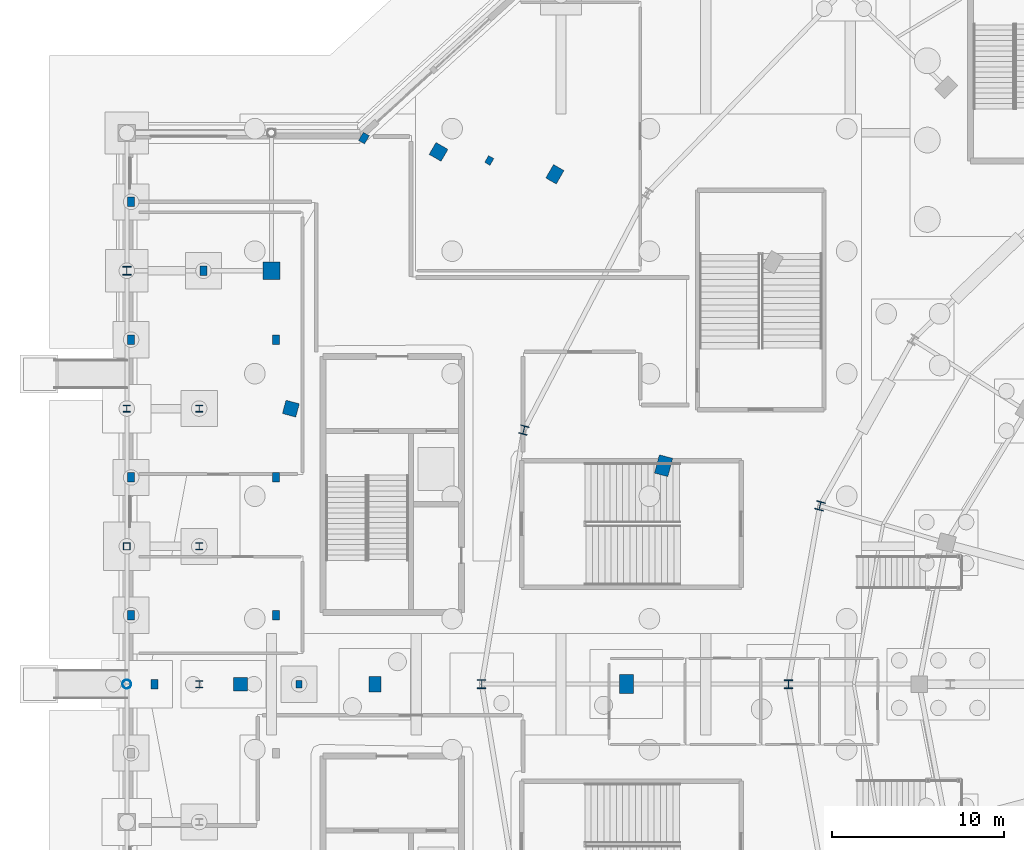
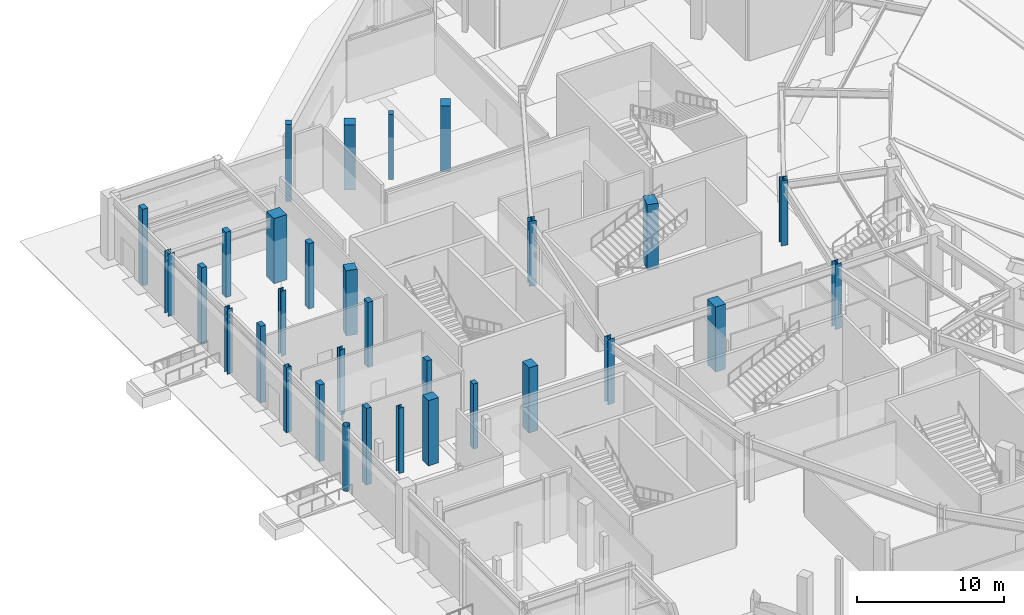
# One storey, part 18 of 93: 31 columns.
"""IFC4 building model written with IfcOpenShell, lengths in metres."""

from ifc_helpers import new_model, si_unit, direction, frame, origin, origin_2d, place, context, subcontext, project, spatial, rectangle, hollow_rectangle, hollow_circle, i_section, extrude, material, material_profile, profile_set, type_object, element, save


model = new_model("IFC4")

# Units and contexts
model_context = context("Model", 3, precision=1e-05, world=origin(), true_north=direction((0.0, 1.0)))
body_context = subcontext(model_context, "Body", "Model", "MODEL_VIEW")
ifc_project = project(units=[si_unit("LENGTHUNIT", "METRE"), si_unit("AREAUNIT", "SQUARE_METRE"), si_unit("VOLUMEUNIT", "CUBIC_METRE"), si_unit("PLANEANGLEUNIT", "RADIAN"), si_unit("MASSUNIT", "GRAM", prefix="KILO")], contexts=[model_context])

# Site, building, storey
site_placement = place(None, origin())
site = spatial("IfcSite", under=ifc_project, at=site_placement, CompositionType="ELEMENT")
building_placement = place(site_placement, origin())
building = spatial("IfcBuilding", under=site, at=building_placement, Name="Kalgoora Escarpment Arena", CompositionType="ELEMENT")
storey_placement = place(building_placement, origin())
storey = spatial("IfcBuildingStorey", under=building, at=storey_placement, Name="L00", CompositionType="ELEMENT", Elevation=0.0)

# Columns
ifc_material_1 = material(Name="Structural steel Grade 350 (350 MPa)", Category="steel")
ifc_material_profile_1 = material_profile(ifc_material_1, i_section(OverallWidth=0.39990234375, OverallDepth=0.39990234375, WebThickness=0.01806640625, FlangeThickness=0.031982421875, at=origin_2d()))
ifc_profile_set_1 = profile_set([ifc_material_profile_1], Name="Structural steel Grade 350 (350 MPa)")
column_type_1 = type_object("IfcColumnType", Name="COL-COL-400WC270", PredefinedType="COLUMN", material=ifc_profile_set_1)
for number, where, z_axis, x_axis, name in (
    (1, (0.0, 80.0, 0.0), (0.0, 0.0, 1.0), (1.0, 0.0, 0.0), "L00 structural column COL-G1-L"),
    (2, (4.199951171875, 64.0, 0.0), (0.0, 0.0, 1.0), (1.0, 0.0, 0.0), "L00 structural column COL-CAN-IN-64"),
    (3, (4.199951171875, 72.0, 0.0), (0.0, 0.0, 1.0), (1.0, 0.0, 0.0), "L00 structural column COL-CAN-IN-72"),
    (4, (4.199951171875, 80.0, 0.0), (0.0, 0.0, 1.0), (1.0, 0.0, 0.0), "L00 structural column COL-CAN-IN-80"),
):
    element("IfcColumn", number, at=place(storey_placement, frame(where, z_axis=z_axis, x_axis=x_axis)), inside=storey, type_object=column_type_1, Name=name, PredefinedType="COLUMN", context=body_context, shape_type="SweptSolid", body=[
        extrude(i_section(OverallWidth=0.39990234375, OverallDepth=0.39990234375, WebThickness=0.01806640625, FlangeThickness=0.031982421875, at=origin_2d()), origin(), (0.0, 0.0, 1.0), 5.39990234375),
    ])
ifc_material_2 = material(Name="Structural steel C450 (450 MPa)", Category="steel")
ifc_material_profile_2 = material_profile(ifc_material_2, hollow_rectangle(XDim=0.39990234375, YDim=0.39990234375, WallThickness=0.01611328125, at=origin_2d()))
ifc_profile_set_2 = profile_set([ifc_material_profile_2], Name="Structural steel C450 (450 MPa)")
column_type_2 = type_object("IfcColumnType", Name="COL-COL-400x400x16.0SHS", PredefinedType="COLUMN", material=ifc_profile_set_2)
column_1_placement = place(storey_placement, frame((0.0, 72.0, 0.0), z_axis=(0.0, 0.0, 1.0), x_axis=(1.0, 0.0, 0.0)))
element("IfcColumn", 5, at=column_1_placement, inside=storey, type_object=column_type_2, Name="L00 structural column COL-G1-K", PredefinedType="COLUMN", context=body_context, shape_type="SweptSolid", body=[
    extrude(hollow_rectangle(XDim=0.39990234375, YDim=0.39990234375, WallThickness=0.01611328125, at=origin_2d()), origin(), (0.0, 0.0, 1.0), 5.39990234375),
])
ifc_material_3 = material(Name="Structural steel Grade 350 (350 MPa)", Category="steel")
ifc_material_profile_3 = material_profile(ifc_material_3, i_section(OverallWidth=0.5, OverallDepth=0.5, WebThickness=0.02001953125, FlangeThickness=0.034912109375, at=origin_2d()))
ifc_profile_set_3 = profile_set([ifc_material_profile_3], Name="Structural steel Grade 350 (350 MPa)")
column_type_3 = type_object("IfcColumnType", Name="COL-COL-500WC340", PredefinedType="COLUMN", material=ifc_profile_set_3)
for number, where, z_axis, x_axis, name in (
    (6, (23.04638671875, 78.752685546875, 0.0), (0.0, 0.0, 1.0), (-0.965925826289, 0.258819045103, 0.0), "L00 structural column COL-RCONC2-R12"),
    (7, (20.60009765625, 64.0, 0.0), (0.0, 0.0, 1.0), (-1.0, 0.0, 0.0), "L00 structural column COL-RCONC2-R13"),
):
    element("IfcColumn", number, at=place(storey_placement, frame(where, z_axis=z_axis, x_axis=x_axis)), inside=storey, type_object=column_type_3, Name=name, PredefinedType="COLUMN", context=body_context, shape_type="SweptSolid", body=[
        extrude(i_section(OverallWidth=0.5, OverallDepth=0.5, WebThickness=0.02001953125, FlangeThickness=0.034912109375, at=origin_2d()), origin(), (0.0, 0.0, 1.0), 5.39990234375),
    ])
column_2_placement = place(storey_placement, frame((0.0, 88.0, 0.0), z_axis=(0.0, 0.0, 1.0), x_axis=(1.0, 0.0, 0.0)))
element("IfcColumn", 8, at=column_2_placement, inside=storey, type_object=column_type_3, Name="L00 structural column COL-G1-M", PredefinedType="COLUMN", context=body_context, shape_type="SweptSolid", body=[
    extrude(i_section(OverallWidth=0.5, OverallDepth=0.5, WebThickness=0.02001953125, FlangeThickness=0.034912109375, at=origin_2d()), origin(), (0.0, 0.0, 1.0), 5.14990234375),
])
ifc_material_4 = material(Name="Structural steel Grade 350 (350 MPa)", Category="steel")
ifc_material_profile_4 = material_profile(ifc_material_4, i_section(OverallWidth=0.5, OverallDepth=0.5, WebThickness=0.02490234375, FlangeThickness=0.0419921875, at=origin_2d()))
ifc_profile_set_4 = profile_set([ifc_material_profile_4], Name="Structural steel Grade 350 (350 MPa)")
column_type_4 = type_object("IfcColumnType", Name="COL-COL-500WC440", PredefinedType="COLUMN", material=ifc_profile_set_4)
for number, where, z_axis, x_axis, name in (
    (9, (40.239990234375, 74.352783203125, 0.0), (0.0, 0.0, 1.0), (-0.965925826289, 0.258819045103, 0.0), "L00 structural column COL-RMAIN-R12"),
    (10, (38.39990234375, 64.0, 0.0), (0.0, 0.0, 1.0), (-1.0, 0.0, 0.0), "L00 structural column COL-RMAIN-R13"),
):
    element("IfcColumn", number, at=place(storey_placement, frame(where, z_axis=z_axis, x_axis=x_axis)), inside=storey, type_object=column_type_4, Name=name, PredefinedType="COLUMN", context=body_context, shape_type="SweptSolid", body=[
        extrude(i_section(OverallWidth=0.5, OverallDepth=0.5, WebThickness=0.02490234375, FlangeThickness=0.0419921875, at=origin_2d()), origin(), (0.0, 0.0, 1.0), 5.39990234375),
    ])
ifc_material_5 = material(Name="Structural steel C350 (350 MPa)", Category="steel")
ifc_material_profile_5 = material_profile(ifc_material_5, hollow_circle(Radius=0.25390625, WallThickness=0.01611328125, at=origin_2d()))
ifc_profile_set_5 = profile_set([ifc_material_profile_5], Name="Structural steel C350 (350 MPa)")
column_type_5 = type_object("IfcColumnType", Name="COL-COL-508.0x16.0CHS", PredefinedType="COLUMN", material=ifc_profile_set_5)
column_3_placement = place(storey_placement, frame((0.0, 64.0, 0.0), z_axis=(0.0, 0.0, 1.0), x_axis=(1.0, 0.0, 0.0)))
element("IfcColumn", 11, at=column_3_placement, inside=storey, type_object=column_type_5, Name="L00 structural column COL-G1-J", PredefinedType="COLUMN", context=body_context, shape_type="SweptSolid", body=[
    extrude(hollow_circle(Radius=0.25390625, WallThickness=0.01611328125, at=origin_2d()), origin(), (0.0, 0.0, 1.0), 5.39990234375),
])
ifc_material_6 = material(Name="Concrete N50 (fc' 50 MPa)", Category="concrete")
ifc_material_profile_6 = material_profile(ifc_material_6, rectangle(XDim=1.0, YDim=1.0, at=origin_2d()))
ifc_profile_set_6 = profile_set([ifc_material_profile_6], Name="Concrete N50 (fc' 50 MPa)")
column_type_6 = type_object("IfcColumnType", Name="COL-COL-RC1000x1000", PredefinedType="COLUMN", material=ifc_profile_set_6)
column_4_placement = place(storey_placement, frame((8.39990234375, 88.0, 0.0), z_axis=(0.0, 0.0, 1.0), x_axis=(1.0, 0.0, 0.0)))
element("IfcColumn", 12, at=column_4_placement, inside=storey, type_object=column_type_6, Name="L00 structural column COL-G2-M", PredefinedType="COLUMN", context=body_context, shape_type="SweptSolid", body=[
    extrude(rectangle(XDim=1.0, YDim=1.0, at=origin_2d()), origin(), (0.0, 0.0, 1.0), 5.39990234375),
])
ifc_material_7 = material(Name="Concrete N50 (fc' 50 MPa)", Category="concrete")
ifc_material_profile_7 = material_profile(ifc_material_7, rectangle(XDim=0.800048828125, YDim=1.10009765625, at=origin_2d()))
ifc_profile_set_7 = profile_set([ifc_material_profile_7], Name="Concrete N50 (fc' 50 MPa)")
column_type_7 = type_object("IfcColumnType", Name="COL-COL-RC1100x800", PredefinedType="COLUMN", material=ifc_profile_set_7)
for number, where, z_axis, x_axis, name in (
    (13, (31.160400390625, 76.68212890625, 0.0), (0.0, 0.0, 1.0), (-0.965925826289, 0.258819045103, 0.0), "L00 structural column COL-RCONC1-R12"),
    (14, (29.0, 64.0, 0.0), (0.0, 0.0, 1.0), (-1.0, 0.0, 0.0), "L00 structural column COL-RCONC1-R13"),
):
    element("IfcColumn", number, at=place(storey_placement, frame(where, z_axis=z_axis, x_axis=x_axis)), inside=storey, type_object=column_type_7, Name=name, PredefinedType="COLUMN", context=body_context, shape_type="SweptSolid", body=[
        extrude(rectangle(XDim=0.800048828125, YDim=1.10009765625, at=origin_2d()), origin(), (0.0, 0.0, 1.0), 5.39990234375),
    ])
ifc_material_8 = material(Name="Concrete N50 (fc' 50 MPa)", Category="concrete")
ifc_material_profile_8 = material_profile(ifc_material_8, rectangle(XDim=0.800048828125, YDim=0.800048828125, at=origin_2d()))
ifc_profile_set_8 = profile_set([ifc_material_profile_8], Name="Concrete N50 (fc' 50 MPa)")
column_type_8 = type_object("IfcColumnType", Name="COL-COL-RC800x800", PredefinedType="COLUMN", material=ifc_profile_set_8)
for number, where, z_axis, x_axis, name in (
    (15, (18.094970703125, 94.89990234375, 0.0), (0.0, 0.0, 1.0), (-0.866025403784, 0.5, 0.0), "L00 structural column COL-RBASE2-R11"),
    (16, (9.523681640625, 79.9951171875, 0.0), (0.0, 0.0, 1.0), (-0.965925826289, 0.258819045103, 0.0), "L00 structural column COL-RBASE2-R12"),
    (17, (6.60009765625, 64.0, 0.0), (0.0, 0.0, 1.0), (-1.0, 0.0, 0.0), "L00 structural column COL-RBASE2-R13"),
):
    element("IfcColumn", number, at=place(storey_placement, frame(where, z_axis=z_axis, x_axis=x_axis)), inside=storey, type_object=column_type_8, Name=name, PredefinedType="COLUMN", context=body_context, shape_type="SweptSolid", body=[
        extrude(rectangle(XDim=0.800048828125, YDim=0.800048828125, at=origin_2d()), origin(), (0.0, 0.0, 1.0), 5.39990234375),
    ])
ifc_material_9 = material(Name="Concrete N50 (fc' 50 MPa)", Category="concrete")
ifc_material_profile_9 = material_profile(ifc_material_9, rectangle(XDim=0.699951171875, YDim=0.89990234375, at=origin_2d()))
ifc_profile_set_9 = profile_set([ifc_material_profile_9], Name="Concrete N50 (fc' 50 MPa)")
column_type_9 = type_object("IfcColumnType", Name="COL-COL-RC900x700", PredefinedType="COLUMN", material=ifc_profile_set_9)
for number, where, z_axis, x_axis, name in (
    (18, (24.85009765625, 93.60009765625, 0.0), (0.0, 0.0, 1.0), (-0.866025403784, 0.5, 0.0), "L00 structural column COL-RBASE1-R11"),
    (19, (14.39990234375, 64.0, 0.0), (0.0, 0.0, 1.0), (-1.0, 0.0, 0.0), "L00 structural column COL-RBASE1-R13"),
):
    element("IfcColumn", number, at=place(storey_placement, frame(where, z_axis=z_axis, x_axis=x_axis)), inside=storey, type_object=column_type_9, Name=name, PredefinedType="COLUMN", context=body_context, shape_type="SweptSolid", body=[
        extrude(rectangle(XDim=0.699951171875, YDim=0.89990234375, at=origin_2d()), origin(), (0.0, 0.0, 1.0), 5.39990234375),
    ])
ifc_material_10 = material(Name="Precast concrete N50 (fc' 50 MPa)", Category="concrete")
ifc_material_profile_10 = material_profile(ifc_material_10, rectangle(XDim=0.35009765625, YDim=0.449951171875, at=origin_2d()))
ifc_profile_set_10 = profile_set([ifc_material_profile_10], Name="Precast concrete N50 (fc' 50 MPa)")
column_type_10 = type_object("IfcColumnType", Name="COL-PIL-PC-PILASTER-450x350", PredefinedType="PILASTER", material=ifc_profile_set_10)
for number, where, z_axis, x_axis, name in (
    (20, (21.0400390625, 94.39990234375, 0.0), (0.0, 0.0, 1.0), (-0.866025403784, 0.5, 0.0), "L00 fluted pilaster PIL-056"),
    (21, (10.0, 64.0, 0.0), (0.0, 0.0, 1.0), (-1.0, 0.0, 0.0), "L00 fluted pilaster PIL-058"),
):
    element("IfcColumn", number, at=place(storey_placement, frame(where, z_axis=z_axis, x_axis=x_axis)), inside=storey, type_object=column_type_10, Name=name, PredefinedType="PILASTER", context=body_context, shape_type="SweptSolid", body=[
        extrude(rectangle(XDim=0.35009765625, YDim=0.449951171875, at=origin_2d()), origin(), (0.0, 0.0, 1.0), 5.39990234375),
    ])
ifc_material_11 = material(Name="Precast concrete N50 (fc' 50 MPa)", Category="concrete")
ifc_material_profile_11 = material_profile(ifc_material_11, rectangle(XDim=0.39990234375, YDim=0.550048828125, at=origin_2d()))
ifc_profile_set_11 = profile_set([ifc_material_profile_11], Name="Precast concrete N50 (fc' 50 MPa)")
column_type_11 = type_object("IfcColumnType", Name="COL-PIL-PC-PILASTER-550x400", PredefinedType="PILASTER", material=ifc_profile_set_11)
for number, where, z_axis, x_axis, name in (
    (22, (0.25, 68.0, 0.0), (0.0, 0.0, 1.0), (1.0, 0.0, 0.0), "L00 fluted pilaster PIL-005"),
    (23, (0.25, 76.0, 0.0), (0.0, 0.0, 1.0), (1.0, 0.0, 0.0), "L00 fluted pilaster PIL-006"),
    (24, (0.25, 84.0, 0.0), (0.0, 0.0, 1.0), (1.0, 0.0, 0.0), "L00 fluted pilaster PIL-007"),
    (25, (0.25, 92.0, 0.0), (0.0, 0.0, 1.0), (1.0, 0.0, 0.0), "L00 fluted pilaster PIL-008"),
):
    element("IfcColumn", number, at=place(storey_placement, frame(where, z_axis=z_axis, x_axis=x_axis)), inside=storey, type_object=column_type_11, Name=name, PredefinedType="PILASTER", context=body_context, shape_type="SweptSolid", body=[
        extrude(rectangle(XDim=0.39990234375, YDim=0.550048828125, at=origin_2d()), origin(), (0.0, 0.0, 1.0), 6.35009765625),
    ])
for number, where, z_axis, x_axis, name in (
    (26, (4.449951171875, 88.0, 0.0), (0.0, 0.0, 1.0), (1.0, 0.0, 0.0), "L00 fluted pilaster PIL-015"),
    (27, (8.64990234375, 68.0, 0.0), (0.0, 0.0, 1.0), (1.0, 0.0, 0.0), "L00 fluted pilaster PIL-019"),
    (28, (8.64990234375, 76.0, 0.0), (0.0, 0.0, 1.0), (1.0, 0.0, 0.0), "L00 fluted pilaster PIL-020"),
    (29, (8.64990234375, 84.0, 0.0), (0.0, 0.0, 1.0), (1.0, 0.0, 0.0), "L00 fluted pilaster PIL-021"),
):
    element("IfcColumn", number, at=place(storey_placement, frame(where, z_axis=z_axis, x_axis=x_axis)), inside=storey, type_object=column_type_11, Name=name, PredefinedType="PILASTER", context=body_context, shape_type="SweptSolid", body=[
        extrude(rectangle(XDim=0.39990234375, YDim=0.550048828125, at=origin_2d()), origin(), (0.0, 0.0, 1.0), 5.39990234375),
    ])
for number, where, z_axis, x_axis, name in (
    (30, (13.764892578125, 95.699951171875, 0.0), (0.0, 0.0, 1.0), (-0.866025403784, 0.5, 0.0), "L00 fluted pilaster PIL-032"),
    (31, (1.60009765625, 64.0, 0.0), (0.0, 0.0, 1.0), (-1.0, 0.0, 0.0), "L00 fluted pilaster PIL-034"),
):
    element("IfcColumn", number, at=place(storey_placement, frame(where, z_axis=z_axis, x_axis=x_axis)), inside=storey, type_object=column_type_11, Name=name, PredefinedType="PILASTER", context=body_context, shape_type="SweptSolid", body=[
        extrude(rectangle(XDim=0.39990234375, YDim=0.550048828125, at=origin_2d()), origin(), (0.0, 0.0, 1.0), 6.35009765625),
    ])

save(model, "model.ifc")
